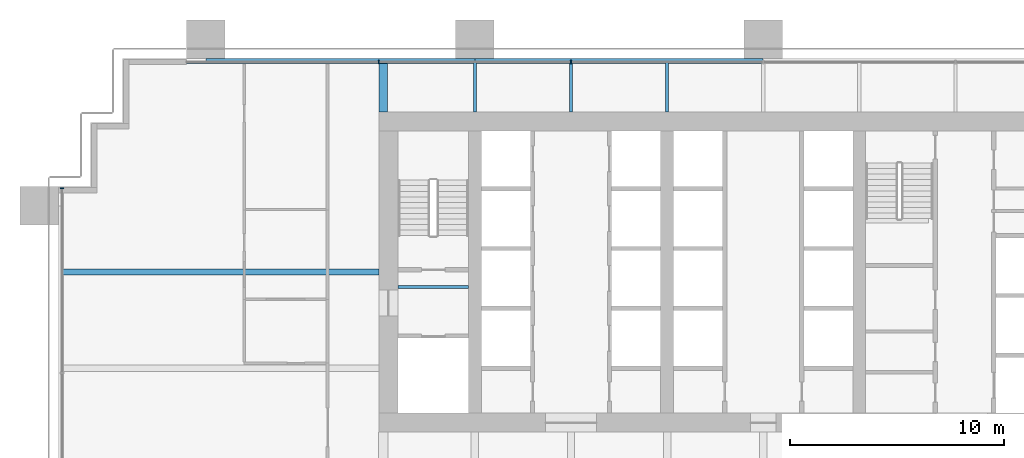
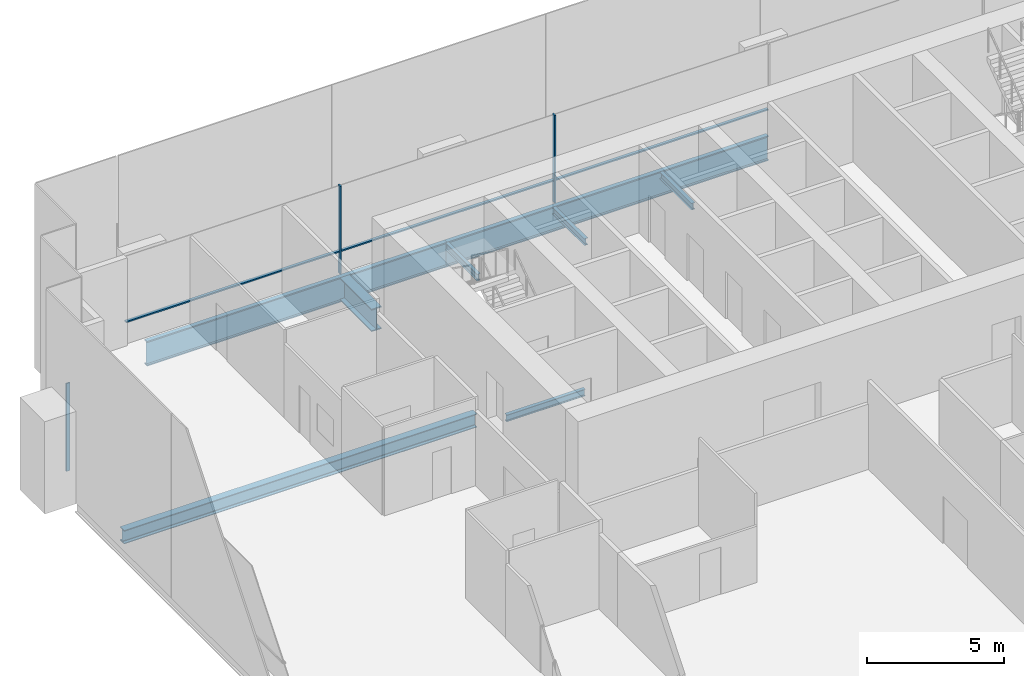
# One storey, part 7 of 17: 8 beams, 6 members, 2 elements without a shape of their own.
"""IFC4 building model written with IfcOpenShell, lengths in metres."""

from ifc_helpers import new_model, si_unit, direction, frame, origin, origin_2d, place, context, subcontext, project, spatial, rectangle, i_section, extrude, material, material_profile, profile_set, type_object, element, aggregate, save


model = new_model("IFC4")

# Units and contexts
model_context = context("Model", 3, precision=1e-05, world=origin(), true_north=direction((0.0, 1.0)))
body_context = subcontext(model_context, "Body", "Model", "MODEL_VIEW")
ifc_project = project(units=[si_unit("LENGTHUNIT", "METRE"), si_unit("AREAUNIT", "SQUARE_METRE"), si_unit("VOLUMEUNIT", "CUBIC_METRE"), si_unit("PLANEANGLEUNIT", "RADIAN"), si_unit("MASSUNIT", "GRAM", prefix="KILO")], contexts=[model_context])

# Site, building, storey
site_placement = place(None, origin())
site = spatial("IfcSite", under=ifc_project, at=site_placement, CompositionType="ELEMENT")
building_placement = place(site_placement, origin())
building = spatial("IfcBuilding", under=site, at=building_placement, Name="Rattan Terrace Tower", CompositionType="ELEMENT")
storey_placement = place(building_placement, frame((0.0, 0.0, 44.699951171875)))
storey = spatial("IfcBuildingStorey", under=building, at=storey_placement, Name="L09", CompositionType="ELEMENT", Elevation=44.699951171875)

# Curtain wall, members
ifc_material_1 = material(Name="Aluminium and glass", Category="aluminium")
curtain_wall_type = type_object("IfcCurtainWallType", Name="Facade Unitised Curtain Wall", PredefinedType="NOTDEFINED", material=ifc_material_1)
curtain_wall_1_placement = place(storey_placement, origin())
curtain_wall_1 = element("IfcCurtainWall", 1, at=curtain_wall_1_placement, inside=storey, type_object=curtain_wall_type, Name="Curtain wall L09-2", PredefinedType="NOTDEFINED")
ifc_material_2 = material(Name="Aluminium", Category="aluminium")
ifc_material_profile_1 = material_profile(ifc_material_2, rectangle(XDim=0.06005859375, YDim=0.159912109375, at=origin_2d()), Name="Aluminium 60x160")
ifc_profile_set_1 = profile_set([ifc_material_profile_1], Name="Aluminium")
member_type_1 = type_object("IfcMemberType", Name="Facade CW Mullion 60x160", PredefinedType="MULLION", material=ifc_profile_set_1)
member_1_placement = place(storey_placement, frame((-9.0, 9.830078125, 0.0), z_axis=(0.0, 0.0, 1.0), x_axis=(-1.0, 0.0, 0.0)))
member_1 = element("IfcMember", 2, at=member_1_placement, type_object=member_type_1, Name="Mullion cwl-L09-002.5", PredefinedType="MULLION", context=body_context, shape_type="SweptSolid", body=[
    extrude(rectangle(XDim=0.06005859375, YDim=0.159912109375, at=origin_2d()), origin(), (0.0, 0.0, 1.0), 3.900146484375),
])
member_2_placement = place(storey_placement, frame((-18.0, 9.830078125, 0.0), z_axis=(0.0, 0.0, 1.0), x_axis=(-1.0, 0.0, 0.0)))
member_2 = element("IfcMember", 3, at=member_2_placement, type_object=member_type_1, Name="Mullion cwl-L09-002.6", PredefinedType="MULLION", context=body_context, shape_type="SweptSolid", body=[
    extrude(rectangle(XDim=0.06005859375, YDim=0.159912109375, at=origin_2d()), origin(), (0.0, 0.0, 1.0), 3.900146484375),
])

# Curtain wall, member
curtain_wall_2_placement = place(storey_placement, origin())
curtain_wall_2 = element("IfcCurtainWall", 4, at=curtain_wall_2_placement, inside=storey, type_object=curtain_wall_type, Name="Curtain wall L09-3", PredefinedType="NOTDEFINED")
member_3_placement = place(storey_placement, frame((-32.830078125, 3.925048828125, 0.0), z_axis=(0.0, 0.0, 1.0), x_axis=(0.0, -1.0, 0.0)))
member_3 = element("IfcMember", 5, at=member_3_placement, type_object=member_type_1, Name="Mullion cwl-L09-003.1", PredefinedType="MULLION", context=body_context, shape_type="SweptSolid", body=[
    extrude(rectangle(XDim=0.06005859375, YDim=0.159912109375, at=origin_2d()), origin(), (0.0, 0.0, 1.0), 3.900146484375),
])
aggregate(curtain_wall_2, [member_3])

# Member
ifc_material_3 = material(Name="Aluminium", Category="aluminium")
ifc_material_profile_2 = material_profile(ifc_material_3, rectangle(XDim=0.1201171875, YDim=0.06005859375, at=origin_2d()), Name="Aluminium 120x60")
ifc_profile_set_2 = profile_set([ifc_material_profile_2], Name="Aluminium")
member_type_2 = type_object("IfcMemberType", Name="Facade CW Transom 120x60", PredefinedType="USERDEFINED", material=ifc_profile_set_2)
member_4_placement = place(storey_placement, frame((-0.030029296875, 9.830078125, 1.0), z_axis=(-1.0, 0.0, 0.0), x_axis=(0.0, -1.0, 0.0)))
member_4 = element("IfcMember", 6, at=member_4_placement, type_object=member_type_2, Name="Transom cwl-L09-002.4", ObjectType="TRANSOM", PredefinedType="USERDEFINED", context=body_context, shape_type="SweptSolid", body=[
    extrude(rectangle(XDim=0.1201171875, YDim=0.06005859375, at=origin_2d()), origin(), (0.0, 0.0, 1.0), 8.93994140625),
])

member_5_placement = place(storey_placement, frame((-9.030029296875, 9.830078125, 1.0), z_axis=(-1.0, 0.0, 0.0), x_axis=(0.0, -1.0, 0.0)))
member_5 = element("IfcMember", 7, at=member_5_placement, type_object=member_type_2, Name="Transom cwl-L09-002.5", ObjectType="TRANSOM", PredefinedType="USERDEFINED", context=body_context, shape_type="SweptSolid", body=[
    extrude(rectangle(XDim=0.1201171875, YDim=0.06005859375, at=origin_2d()), origin(), (0.0, 0.0, 1.0), 8.93994140625),
])

member_6_placement = place(storey_placement, frame((-18.030029296875, 9.830078125, 1.0), z_axis=(-1.0, 0.0, 0.0), x_axis=(0.0, -1.0, 0.0)))
member_6 = element("IfcMember", 8, at=member_6_placement, type_object=member_type_2, Name="Transom cwl-L09-002.6", ObjectType="TRANSOM", PredefinedType="USERDEFINED", context=body_context, shape_type="SweptSolid", body=[
    extrude(rectangle(XDim=0.1201171875, YDim=0.06005859375, at=origin_2d()), origin(), (0.0, 0.0, 1.0), 8.969970703125),
])

aggregate(curtain_wall_1, [member_1, member_2, member_4, member_5, member_6])

# Beams
ifc_material_4 = material(Name="Steel S460", Category="steel")
ifc_material_profile_3 = material_profile(ifc_material_4, i_section(OverallWidth=0.39990234375, OverallDepth=1.0, WebThickness=0.01806640625, FlangeThickness=0.044921875, at=origin_2d()), Name="PG 1000x400-18-45")
ifc_profile_set_3 = profile_set([ifc_material_profile_3], Name="Steel S460")
beam_type_1 = type_object("IfcBeamType", Name="Frame core girder PG 1000x400-18-45", PredefinedType="BEAM", material=ifc_profile_set_3)
beam_1_placement = place(storey_placement, frame((-17.800048828125, 7.5, -0.699951171875), z_axis=(0.0, 1.0, 0.0), x_axis=(-1.0, 0.0, 0.0)))
element("IfcBeam", 9, at=beam_1_placement, inside=storey, type_object=beam_type_1, Name="gdr-L09-015", PredefinedType="BEAM", context=body_context, shape_type="SweptSolid", body=[
    extrude(i_section(OverallWidth=0.39990234375, OverallDepth=1.0, WebThickness=0.01806640625, FlangeThickness=0.044921875, at=origin_2d()), origin(), (0.0, 0.0, 1.0), 2.320068359375),
])
ifc_material_5 = material(Name="Steel S460", Category="steel")
ifc_material_profile_4 = material_profile(ifc_material_5, i_section(OverallWidth=0.179931640625, OverallDepth=1.10009765625, WebThickness=0.01611328125, FlangeThickness=0.050048828125, at=origin_2d()), Name="PG 1100x180-16-50")
ifc_profile_set_4 = profile_set([ifc_material_profile_4], Name="Steel S460")
beam_type_2 = type_object("IfcBeamType", Name="Frame edge girder PG 1100x180-16-50", PredefinedType="SPANDREL", material=ifc_profile_set_4)
beam_2_placement = place(storey_placement, frame((-13.5, 9.909912109375, -0.75), z_axis=(-1.0, 0.0, 0.0), x_axis=(0.0, -1.0, 0.0)))
element("IfcBeam", 10, at=beam_2_placement, inside=storey, type_object=beam_type_2, Name="gdr-L09-009", PredefinedType="SPANDREL", context=body_context, shape_type="SweptSolid", body=[
    extrude(i_section(OverallWidth=0.179931640625, OverallDepth=1.10009765625, WebThickness=0.01611328125, FlangeThickness=0.050048828125, at=origin_2d()), origin(), (0.0, 0.0, 1.0), 12.60009765625),
])
beam_3_placement = place(storey_placement, frame((0.0, 9.909912109375, -0.75), z_axis=(-1.0, 0.0, 0.0), x_axis=(0.0, -1.0, 0.0)))
element("IfcBeam", 11, at=beam_3_placement, inside=storey, type_object=beam_type_2, Name="gdr-L09-010", PredefinedType="SPANDREL", context=body_context, shape_type="SweptSolid", body=[
    extrude(i_section(OverallWidth=0.179931640625, OverallDepth=1.10009765625, WebThickness=0.01611328125, FlangeThickness=0.050048828125, at=origin_2d()), origin(), (0.0, 0.0, 1.0), 13.5),
])
ifc_material_6 = material(Name="Steel S355", Category="steel")
ifc_material_profile_5 = material_profile(ifc_material_6, i_section(OverallWidth=0.300048828125, OverallDepth=0.60009765625, WebThickness=0.015380859375, FlangeThickness=0.030029296875, FilletRadius=0.027099609375, at=origin_2d()), Name="HE 600 B")
ifc_profile_set_5 = profile_set([ifc_material_profile_5], Name="Steel S355")
beam_type_3 = type_object("IfcBeamType", Name="Frame floor beam HE 600 B", PredefinedType="JOIST", material=ifc_profile_set_5)
beam_4_placement = place(storey_placement, frame((-32.820068359375, 0.0, -0.5), z_axis=(1.0, 0.0, 0.0), x_axis=(0.0, 1.0, 0.0)))
element("IfcBeam", 12, at=beam_4_placement, inside=storey, type_object=beam_type_3, Name="bm-L09-022", PredefinedType="JOIST", context=body_context, shape_type="SweptSolid", body=[
    extrude(i_section(OverallWidth=0.300048828125, OverallDepth=0.60009765625, WebThickness=0.015380859375, FlangeThickness=0.030029296875, FilletRadius=0.027099609375, at=origin_2d()), origin(), (0.0, 0.0, 1.0), 14.820068359375),
])
ifc_material_7 = material(Name="Steel S355", Category="steel")
ifc_material_profile_6 = material_profile(ifc_material_7, i_section(OverallWidth=0.14990234375, OverallDepth=0.300048828125, WebThickness=0.007080078125, FlangeThickness=0.0107421875, FilletRadius=0.014892578125, at=origin_2d()), Name="IPE 300")
ifc_profile_set_6 = profile_set([ifc_material_profile_6], Name="Steel S355")
beam_type_4 = type_object("IfcBeamType", Name="Frame floor beam IPE 300", PredefinedType="JOIST", material=ifc_profile_set_6)
beam_5_placement = place(storey_placement, frame((-17.10009765625, -0.695068359375, -0.349853515625), z_axis=(1.0, 0.0, 0.0), x_axis=(0.0, 1.0, 0.0)))
element("IfcBeam", 13, at=beam_5_placement, inside=storey, type_object=beam_type_4, Name="bm-L09-001", PredefinedType="JOIST", context=body_context, shape_type="SweptSolid", body=[
    extrude(i_section(OverallWidth=0.14990234375, OverallDepth=0.300048828125, WebThickness=0.007080078125, FlangeThickness=0.0107421875, FilletRadius=0.014892578125, at=origin_2d()), origin(), (0.0, 0.0, 1.0), 3.300048828125),
])
for number, where, z_axis, x_axis, name in (
    (14, (-13.5, 7.5, -0.349853515625), (0.0, 1.0, 0.0), (-1.0, 0.0, 0.0), "bm-L09-024"),
    (15, (-9.0, 7.5, -0.349853515625), (0.0, 1.0, 0.0), (-1.0, 0.0, 0.0), "bm-L09-025"),
    (16, (-4.5, 7.5, -0.349853515625), (0.0, 1.0, 0.0), (-1.0, 0.0, 0.0), "bm-L09-026"),
):
    element("IfcBeam", number, at=place(storey_placement, frame(where, z_axis=z_axis, x_axis=x_axis)), inside=storey, type_object=beam_type_4, Name=name, PredefinedType="JOIST", context=body_context, shape_type="SweptSolid", body=[
        extrude(i_section(OverallWidth=0.14990234375, OverallDepth=0.300048828125, WebThickness=0.007080078125, FlangeThickness=0.0107421875, FilletRadius=0.014892578125, at=origin_2d()), origin(), (0.0, 0.0, 1.0), 2.320068359375),
    ])

save(model, "model.ifc")
